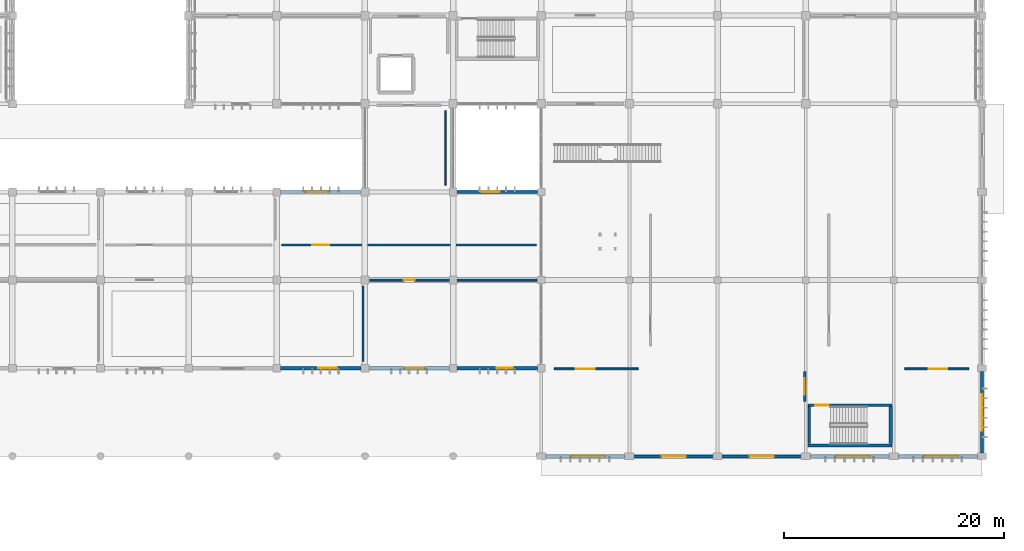
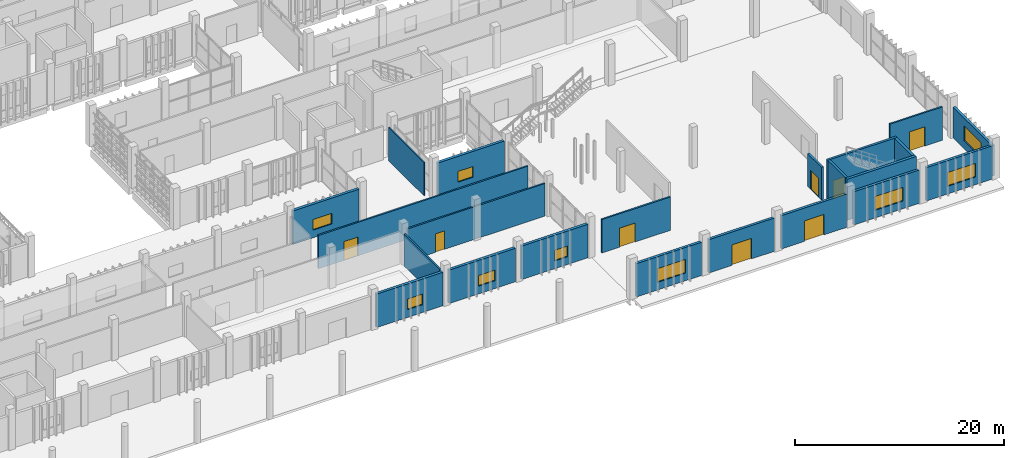
# One storey, part 93 of 117: 22 walls, 9 windows, 8 doors, 17 openings.
"""IFC4 building model written with IfcOpenShell, lengths in metres."""

from ifc_helpers import new_model, si_unit, direction, frame, frame_2d, origin, place, context, subcontext, project, spatial, rectangle, extrude, material, layer, layer_set, type_object, element, fill, save


model = new_model("IFC4")

# Units and contexts
model_context = context("Model", 3, precision=1e-05, world=origin(), true_north=direction((0.0, 1.0)))
body_context = subcontext(model_context, "Body", "Model", "MODEL_VIEW")
ifc_project = project(units=[si_unit("LENGTHUNIT", "METRE"), si_unit("AREAUNIT", "SQUARE_METRE"), si_unit("VOLUMEUNIT", "CUBIC_METRE"), si_unit("PLANEANGLEUNIT", "RADIAN"), si_unit("MASSUNIT", "GRAM", prefix="KILO")], contexts=[model_context])

# Site, building, storey
site_placement = place(None, origin())
site = spatial("IfcSite", under=ifc_project, at=site_placement, CompositionType="ELEMENT")
building_placement = place(site_placement, origin())
building = spatial("IfcBuilding", under=site, at=building_placement, Name="Jelvoka-Kovrelna Polytechnic", CompositionType="ELEMENT")
storey_placement = place(building_placement, origin())
storey = spatial("IfcBuildingStorey", under=building, at=storey_placement, Name="L01", CompositionType="ELEMENT", Elevation=0.0)

# Wall, opening, door
ifc_material_1 = material(Name="Concrete C35/45", Category="concrete")
ifc_layer_1 = layer(ifc_material_1, 0.219970703125)
ifc_layer_set_1 = layer_set([ifc_layer_1], Name="Concrete C35/45")
wall_type_1 = type_object("IfcWallType", Name="Wall_Compartment_220", PredefinedType="PARTITIONING", material=ifc_layer_set_1)
wall_1_placement = place(storey_placement, frame((183.89990234375, 5.0, 0.0), z_axis=(0.0, 0.0, 1.0), x_axis=(0.0, 1.0, 0.0)))
wall_1 = element("IfcWall", 1, at=wall_1_placement, inside=storey, type_object=wall_type_1, Name="L01 interior wall 1330", PredefinedType="PARTITIONING", context=body_context, shape_type="SweptSolid", body=[
    extrude(rectangle(XDim=2.699951171875, YDim=0.219970703125, at=frame_2d((1.35009765625, 0.0))), origin(), (0.0, 0.0, 1.0), 3.81201171875),
])
opening_1_placement = place(wall_1_placement, frame((0.60009765625, 0.0, 0.0)))
opening_1 = element("IfcOpeningElement", 2, at=opening_1_placement, cuts=wall_1, Name="Opening FD-L01-482", PredefinedType="OPENING", context=body_context, shape_type="SweptSolid", body=[
    extrude(rectangle(XDim=1.5, YDim=2.199951171875, at=frame_2d((0.75, 1.10009765625))), frame((0.0, 0.119873046875, 0.0), z_axis=(0.0, -1.0, 0.0), x_axis=(1.0, 0.0, 0.0)), (0.0, 0.0, 1.0), 0.239990234375),
])
ifc_material_2 = material(Name="Paired steel stair lobby fire door", Category="steel")
door_type_1 = type_object("IfcDoorType", Name="Door_Fire_FD04", OperationType="NOTDEFINED", PredefinedType="DOOR", material=ifc_material_2)
door_1_placement = place(opening_1_placement, origin())
door_1 = element("IfcDoor", 3, at=door_1_placement, inside=storey, type_object=door_type_1, Name="L01 interior door FD-L01-482", OperationType="DOUBLE_DOOR_SINGLE_SWING", OverallHeight=2.199951171875, OverallWidth=1.5, PredefinedType="DOOR", context=body_context, shape_type="SweptSolid", body=[
    extrude(rectangle(XDim=1.5, YDim=2.199951171875, at=frame_2d((0.75, 1.10009765625))), frame((0.0, 0.02490234375, 0.0), z_axis=(0.0, -1.0, 0.0), x_axis=(1.0, 0.0, 0.0)), (0.0, 0.0, 1.0), 0.050048828125),
])
fill(opening_1, door_1)

ifc_material_3 = material(Name="Concrete C40/50", Category="concrete")
ifc_layer_2 = layer(ifc_material_3, 0.25)
ifc_layer_set_2 = layer_set([ifc_layer_2], Name="Concrete C40/50")
wall_type_2 = type_object("IfcWallType", Name="Wall_Core_250", PredefinedType="SOLIDWALL", material=ifc_layer_set_2)
wall_2_placement = place(storey_placement, frame((184.199951171875, 4.639892578125, 0.0), z_axis=(0.0, 0.0, 1.0), x_axis=(1.0, 0.0, 0.0)))
wall_2 = element("IfcWall", 4, at=wall_2_placement, inside=storey, type_object=wall_type_2, Name="L01 interior wall 0051", PredefinedType="SOLIDWALL", context=body_context, shape_type="SweptSolid", body=[
    extrude(rectangle(XDim=7.650146484375, YDim=0.25, at=frame_2d((3.8251953125, 0.0))), origin(), (0.0, 0.0, 1.0), 4.800048828125),
])
opening_2_placement = place(wall_2_placement, frame((0.64990234375, 0.0, 0.0)))
opening_2 = element("IfcOpeningElement", 5, at=opening_2_placement, cuts=wall_2, Name="Opening SD-L01-013", PredefinedType="OPENING", context=body_context, shape_type="SweptSolid", body=[
    extrude(rectangle(XDim=1.25, YDim=2.14990234375, at=frame_2d((0.625, 1.074951171875))), frame((0.0, 0.135009765625, 0.0), z_axis=(0.0, -1.0, 0.0), x_axis=(1.0, 0.0, 0.0)), (0.0, 0.0, 1.0), 0.27001953125),
])
ifc_material_4 = material(Name="Powder-coated steel fire door", Category="steel")
door_type_2 = type_object("IfcDoorType", Name="Door_Fire_FD02", OperationType="NOTDEFINED", PredefinedType="DOOR", material=ifc_material_4)
door_2_placement = place(opening_2_placement, origin())
door_2 = element("IfcDoor", 6, at=door_2_placement, inside=storey, type_object=door_type_2, Name="L01 interior door SD-L01-013", OperationType="SINGLE_SWING_LEFT", OverallHeight=2.14990234375, OverallWidth=1.25, PredefinedType="DOOR", context=body_context, shape_type="SweptSolid", body=[
    extrude(rectangle(XDim=1.25, YDim=2.14990234375, at=frame_2d((0.625, 1.074951171875))), frame((0.0, 0.02490234375, 0.0), z_axis=(0.0, -1.0, 0.0), x_axis=(1.0, 0.0, 0.0)), (0.0, 0.0, 1.0), 0.050048828125),
])
fill(opening_2, door_2)

# Wall
wall_3_placement = place(storey_placement, frame((184.324951171875, 1.14990234375, 0.0), z_axis=(0.0, 0.0, 1.0), x_axis=(0.0, 1.0, 0.0)))
element("IfcWall", 7, at=wall_3_placement, inside=storey, type_object=wall_type_2, Name="L01 interior wall 0052", PredefinedType="SOLIDWALL", context=body_context, shape_type="SweptSolid", body=[
    extrude(rectangle(XDim=3.360107421875, YDim=0.25, at=frame_2d((1.68017578125, 0.0))), origin(), (0.0, 0.0, 1.0), 4.800048828125),
])

# Wall, opening, door
ifc_material_5 = material(Name="Autoclaved aerated concrete blockwork", Category="masonry")
ifc_layer_3 = layer(ifc_material_5, 0.179931640625)
ifc_layer_set_3 = layer_set([ifc_layer_3], Name="Autoclaved aerated concrete blockwork")
wall_type_3 = type_object("IfcWallType", Name="Wall_Corridor_180", PredefinedType="PARTITIONING", material=ifc_layer_set_3)
wall_4_placement = place(storey_placement, frame((144.429931640625, 16.0, 0.0), z_axis=(0.0, 0.0, 1.0), x_axis=(1.0, 0.0, 0.0)))
wall_4 = element("IfcWall", 8, at=wall_4_placement, inside=storey, type_object=wall_type_3, Name="L01 interior wall 0858", PredefinedType="PARTITIONING", context=body_context, shape_type="SweptSolid", body=[
    extrude(rectangle(XDim=15.14013671875, YDim=0.179931640625, at=frame_2d((7.570068359375, 0.0))), origin(), (0.0, 0.0, 1.0), 3.81005859375),
])
opening_3_placement = place(wall_4_placement, frame((3.070068359375, 0.0, 0.0)))
opening_3 = element("IfcOpeningElement", 9, at=opening_3_placement, cuts=wall_4, Name="Opening D-L01-159", PredefinedType="OPENING", context=body_context, shape_type="SweptSolid", body=[
    extrude(rectangle(XDim=1.0, YDim=2.14990234375, at=frame_2d((0.5, 1.074951171875))), frame((0.0, 0.099853515625, 0.0), z_axis=(0.0, -1.0, 0.0), x_axis=(1.0, 0.0, 0.0)), (0.0, 0.0, 1.0), 0.199951171875),
])
ifc_material_6 = material(Name="Hardwood acoustic seminar door", Category="wood")
door_type_3 = type_object("IfcDoorType", Name="Door_Int_D08", OperationType="NOTDEFINED", PredefinedType="DOOR", material=ifc_material_6)
door_3_placement = place(opening_3_placement, origin())
door_3 = element("IfcDoor", 10, at=door_3_placement, inside=storey, type_object=door_type_3, Name="L01 interior door D-L01-159", OperationType="SINGLE_SWING_RIGHT", OverallHeight=2.14990234375, OverallWidth=1.0, PredefinedType="DOOR", context=body_context, shape_type="SweptSolid", body=[
    extrude(rectangle(XDim=1.0, YDim=2.14990234375, at=frame_2d((0.5, 1.074951171875))), frame((0.0, 0.02490234375, 0.0), z_axis=(0.0, -1.0, 0.0), x_axis=(1.0, 0.0, 0.0)), (0.0, 0.0, 1.0), 0.050048828125),
])
fill(opening_3, door_3)

wall_5_placement = place(storey_placement, frame((136.429931640625, 19.199951171875, 0.0), z_axis=(0.0, 0.0, 1.0), x_axis=(1.0, 0.0, 0.0)))
wall_5 = element("IfcWall", 11, at=wall_5_placement, inside=storey, type_object=wall_type_3, Name="L01 interior wall 0868", PredefinedType="PARTITIONING", context=body_context, shape_type="SweptSolid", body=[
    extrude(rectangle(XDim=23.14013671875, YDim=0.179931640625, at=frame_2d((11.570068359375, 0.0))), origin(), (0.0, 0.0, 1.0), 3.89990234375),
])
opening_4_placement = place(wall_5_placement, frame((2.7900390625, 0.0, 0.0)))
opening_4 = element("IfcOpeningElement", 12, at=opening_4_placement, cuts=wall_5, Name="Opening D-L01-165", PredefinedType="OPENING", context=body_context, shape_type="SweptSolid", body=[
    extrude(rectangle(XDim=1.56005859375, YDim=2.199951171875, at=frame_2d((0.780029296875, 1.10009765625))), frame((0.0, 0.099853515625, 0.0), z_axis=(0.0, -1.0, 0.0), x_axis=(1.0, 0.0, 0.0)), (0.0, 0.0, 1.0), 0.199951171875),
])
ifc_material_7 = material(Name="Paired studio double door", Category="wood")
door_type_4 = type_object("IfcDoorType", Name="Door_Int_D18", OperationType="NOTDEFINED", PredefinedType="DOOR", material=ifc_material_7)
door_4_placement = place(opening_4_placement, origin())
door_4 = element("IfcDoor", 13, at=door_4_placement, inside=storey, type_object=door_type_4, Name="L01 interior door D-L01-165", OperationType="DOUBLE_DOOR_SINGLE_SWING", OverallHeight=2.199951171875, OverallWidth=1.56005859375, PredefinedType="DOOR", context=body_context, shape_type="SweptSolid", body=[
    extrude(rectangle(XDim=1.56005859375, YDim=2.199951171875, at=frame_2d((0.780029296875, 1.10009765625))), frame((0.0, 0.02490234375, 0.0), z_axis=(0.0, -1.0, 0.0), x_axis=(1.0, 0.0, 0.0)), (0.0, 0.0, 1.0), 0.050048828125),
])
fill(opening_4, door_4)

wall_6_placement = place(storey_placement, frame((161.199951171875, 7.949951171875, 0.0), z_axis=(0.0, 0.0, 1.0), x_axis=(1.0, 0.0, 0.0)))
wall_6 = element("IfcWall", 14, at=wall_6_placement, inside=storey, type_object=wall_type_3, Name="L01 interior wall 0938", PredefinedType="PARTITIONING", context=body_context, shape_type="SweptSolid", body=[
    extrude(rectangle(XDim=7.60009765625, YDim=0.179931640625, at=frame_2d((3.800048828125, 0.0))), origin(), (0.0, 0.0, 1.0), 3.89990234375),
])
opening_5_placement = place(wall_6_placement, frame((1.929931640625, 0.0, 0.0)))
opening_5 = element("IfcOpeningElement", 15, at=opening_5_placement, cuts=wall_6, Name="Opening D-L01-214", PredefinedType="OPENING", context=body_context, shape_type="SweptSolid", body=[
    extrude(rectangle(XDim=1.739990234375, YDim=2.219970703125, at=frame_2d((0.8701171875, 1.10986328125))), frame((0.0, 0.099853515625, 0.0), z_axis=(0.0, -1.0, 0.0), x_axis=(1.0, 0.0, 0.0)), (0.0, 0.0, 1.0), 0.199951171875),
])
ifc_material_8 = material(Name="Paired hardwood fire-resisting refectory door", Category="wood")
door_type_5 = type_object("IfcDoorType", Name="Door_Fire_FD30_09", OperationType="NOTDEFINED", PredefinedType="DOOR", material=ifc_material_8)
door_5_placement = place(opening_5_placement, origin())
door_5 = element("IfcDoor", 16, at=door_5_placement, inside=storey, type_object=door_type_5, Name="L01 interior door D-L01-214", OperationType="DOUBLE_DOOR_SINGLE_SWING", OverallHeight=2.219970703125, OverallWidth=1.739990234375, PredefinedType="DOOR", context=body_context, shape_type="SweptSolid", body=[
    extrude(rectangle(XDim=1.739990234375, YDim=2.219970703125, at=frame_2d((0.8701171875, 1.10986328125))), frame((0.0, 0.02490234375, 0.0), z_axis=(0.0, -1.0, 0.0), x_axis=(1.0, 0.0, 0.0)), (0.0, 0.0, 1.0), 0.050048828125),
])
fill(opening_5, door_5)

wall_7_placement = place(storey_placement, frame((193.0, 7.949951171875, 0.0), z_axis=(0.0, 0.0, 1.0), x_axis=(1.0, 0.0, 0.0)))
wall_7 = element("IfcWall", 17, at=wall_7_placement, inside=storey, type_object=wall_type_3, Name="L01 interior wall 0939", PredefinedType="PARTITIONING", context=body_context, shape_type="SweptSolid", body=[
    extrude(rectangle(XDim=5.800048828125, YDim=0.179931640625, at=frame_2d((2.89990234375, 0.0))), origin(), (0.0, 0.0, 1.0), 3.89990234375),
])
opening_6_placement = place(wall_7_placement, frame((2.159912109375, 0.0, 0.0)))
opening_6 = element("IfcOpeningElement", 18, at=opening_6_placement, cuts=wall_7, Name="Opening D-L01-215", PredefinedType="OPENING", context=body_context, shape_type="SweptSolid", body=[
    extrude(rectangle(XDim=1.679931640625, YDim=2.25, at=frame_2d((0.83984375, 1.125))), frame((0.0, 0.099853515625, 0.0), z_axis=(0.0, -1.0, 0.0), x_axis=(1.0, 0.0, 0.0)), (0.0, 0.0, 1.0), 0.199951171875),
])
ifc_material_9 = material(Name="Paired acoustic lecture theatre door", Category="wood")
door_type_6 = type_object("IfcDoorType", Name="Door_Int_D20", OperationType="NOTDEFINED", PredefinedType="DOOR", material=ifc_material_9)
door_6_placement = place(opening_6_placement, origin())
door_6 = element("IfcDoor", 19, at=door_6_placement, inside=storey, type_object=door_type_6, Name="L01 interior door D-L01-215", OperationType="DOUBLE_DOOR_SINGLE_SWING", OverallHeight=2.25, OverallWidth=1.679931640625, PredefinedType="DOOR", context=body_context, shape_type="SweptSolid", body=[
    extrude(rectangle(XDim=1.679931640625, YDim=2.25, at=frame_2d((0.83984375, 1.125))), frame((0.0, 0.02490234375, 0.0), z_axis=(0.0, -1.0, 0.0), x_axis=(1.0, 0.0, 0.0)), (0.0, 0.0, 1.0), 0.050048828125),
])
fill(opening_6, door_6)

# Wall, opening, window
ifc_material_10 = material(Name="Precast concrete C40/50", Category="concrete")
ifc_layer_4 = layer(ifc_material_10, 0.280029296875)
ifc_layer_set_4 = layer_set([ifc_layer_4], Name="Precast concrete C40/50")
wall_type_4 = type_object("IfcWallType", Name="Wall_Ext_White_280", PredefinedType="STANDARD", material=ifc_layer_set_4)
wall_8_placement = place(storey_placement, frame((167.6201171875, 0.0, 0.0), z_axis=(0.0, 0.0, 1.0), x_axis=(-1.0, 0.0, 0.0)))
wall_8 = element("IfcWall", 20, at=wall_8_placement, inside=storey, type_object=wall_type_4, Name="L01 exterior wall 1124", PredefinedType="STANDARD", context=body_context, shape_type="SweptSolid", body=[
    extrude(rectangle(XDim=7.240234375, YDim=0.280029296875, at=frame_2d((3.6201171875, 0.0))), origin(), (0.0, 0.0, 1.0), 3.889892578125),
])
opening_7_placement = place(wall_8_placement, frame((1.800048828125, 0.0, 0.89990234375)))
opening_7 = element("IfcOpeningElement", 21, at=opening_7_placement, cuts=wall_8, Name="Opening W-L01-563", PredefinedType="OPENING", context=body_context, shape_type="SweptSolid", body=[
    extrude(rectangle(XDim=3.10009765625, YDim=1.60009765625, at=frame_2d((1.550048828125, 0.800048828125))), frame((0.0, 0.150146484375, 0.0), z_axis=(0.0, -1.0, 0.0), x_axis=(1.0, 0.0, 0.0)), (0.0, 0.0, 1.0), 0.300048828125),
])
ifc_material_11 = material(Name="Thermally broken anodised aluminium and low-e glazing", Category="aluminium")
window_type_1 = type_object("IfcWindowType", Name="Win_Casement_W61", PartitioningType="DOUBLE_PANEL_VERTICAL", PredefinedType="WINDOW", material=ifc_material_11)
window_1_placement = place(opening_7_placement, origin())
window_1 = element("IfcWindow", 22, at=window_1_placement, inside=storey, type_object=window_type_1, Name="L01 aluminium casement window W-L01-563", OverallHeight=1.60009765625, OverallWidth=3.10009765625, PartitioningType="DOUBLE_PANEL_VERTICAL", PredefinedType="WINDOW", context=body_context, shape_type="SweptSolid", body=[
    extrude(rectangle(XDim=3.10009765625, YDim=1.60009765625, at=frame_2d((1.550048828125, 0.800048828125))), frame((0.0, 0.030029296875, 0.0), z_axis=(0.0, -1.0, 0.0), x_axis=(1.0, 0.0, 0.0)), (0.0, 0.0, 1.0), 0.06005859375),
])
fill(opening_7, window_1)

# Wall, opening, door
wall_9_placement = place(storey_placement, frame((175.6201171875, 0.0, 0.0), z_axis=(0.0, 0.0, 1.0), x_axis=(-1.0, 0.0, 0.0)))
wall_9 = element("IfcWall", 23, at=wall_9_placement, inside=storey, type_object=wall_type_4, Name="L01 exterior wall 1125", PredefinedType="STANDARD", context=body_context, shape_type="SweptSolid", body=[
    extrude(rectangle(XDim=7.240234375, YDim=0.280029296875, at=frame_2d((3.6201171875, 0.0))), origin(), (0.0, 0.0, 1.0), 3.889892578125),
])
opening_8_placement = place(wall_9_placement, frame((2.5, 0.0, 0.0)))
opening_8 = element("IfcOpeningElement", 24, at=opening_8_placement, cuts=wall_9, Name="Opening E-L01-036", PredefinedType="OPENING", context=body_context, shape_type="SweptSolid", body=[
    extrude(rectangle(XDim=2.199951171875, YDim=2.39990234375, at=frame_2d((1.10009765625, 1.199951171875))), frame((0.0, 0.150146484375, 0.0), z_axis=(0.0, -1.0, 0.0), x_axis=(1.0, 0.0, 0.0)), (0.0, 0.0, 1.0), 0.300048828125),
])
ifc_material_12 = material(Name="Powder-coated aluminium and laminated safety glass", Category="aluminium")
door_type_7 = type_object("IfcDoorType", Name="Door_Ext_Exit_2200x2400", OperationType="NOTDEFINED", PredefinedType="DOOR", material=ifc_material_12)
door_7_placement = place(opening_8_placement, origin())
door_7 = element("IfcDoor", 25, at=door_7_placement, inside=storey, type_object=door_type_7, Name="L01 exterior door E-L01-036", OperationType="DOUBLE_DOOR_SINGLE_SWING", OverallHeight=2.39990234375, OverallWidth=2.199951171875, PredefinedType="DOOR", context=body_context, shape_type="SweptSolid", body=[
    extrude(rectangle(XDim=2.199951171875, YDim=2.39990234375, at=frame_2d((1.10009765625, 1.199951171875))), frame((0.0, 0.02490234375, 0.0), z_axis=(0.0, -1.0, 0.0), x_axis=(1.0, 0.0, 0.0)), (0.0, 0.0, 1.0), 0.050048828125),
])
fill(opening_8, door_7)

wall_10_placement = place(storey_placement, frame((183.6201171875, 0.0, 0.0), z_axis=(0.0, 0.0, 1.0), x_axis=(-1.0, 0.0, 0.0)))
wall_10 = element("IfcWall", 26, at=wall_10_placement, inside=storey, type_object=wall_type_4, Name="L01 exterior wall 1126", PredefinedType="STANDARD", context=body_context, shape_type="SweptSolid", body=[
    extrude(rectangle(XDim=7.240234375, YDim=0.280029296875, at=frame_2d((3.6201171875, 0.0))), origin(), (0.0, 0.0, 1.0), 3.889892578125),
])
opening_9_placement = place(wall_10_placement, frame((2.5, 0.0, 0.0)))
opening_9 = element("IfcOpeningElement", 27, at=opening_9_placement, cuts=wall_10, Name="Opening E-L01-037", PredefinedType="OPENING", context=body_context, shape_type="SweptSolid", body=[
    extrude(rectangle(XDim=2.199951171875, YDim=2.39990234375, at=frame_2d((1.10009765625, 1.199951171875))), frame((0.0, 0.150146484375, 0.0), z_axis=(0.0, -1.0, 0.0), x_axis=(1.0, 0.0, 0.0)), (0.0, 0.0, 1.0), 0.300048828125),
])
door_8_placement = place(opening_9_placement, origin())
door_8 = element("IfcDoor", 28, at=door_8_placement, inside=storey, type_object=door_type_7, Name="L01 exterior door E-L01-037", OperationType="DOUBLE_DOOR_SINGLE_SWING", OverallHeight=2.39990234375, OverallWidth=2.199951171875, PredefinedType="DOOR", context=body_context, shape_type="SweptSolid", body=[
    extrude(rectangle(XDim=2.199951171875, YDim=2.39990234375, at=frame_2d((1.10009765625, 1.199951171875))), frame((0.0, 0.02490234375, 0.0), z_axis=(0.0, -1.0, 0.0), x_axis=(1.0, 0.0, 0.0)), (0.0, 0.0, 1.0), 0.050048828125),
])
fill(opening_9, door_8)

# Wall, opening, window
wall_11_placement = place(storey_placement, frame((191.6201171875, 0.0, 0.0), z_axis=(0.0, 0.0, 1.0), x_axis=(-1.0, 0.0, 0.0)))
wall_11 = element("IfcWall", 29, at=wall_11_placement, inside=storey, type_object=wall_type_4, Name="L01 exterior wall 1127", PredefinedType="STANDARD", context=body_context, shape_type="SweptSolid", body=[
    extrude(rectangle(XDim=7.240234375, YDim=0.280029296875, at=frame_2d((3.6201171875, 0.0))), origin(), (0.0, 0.0, 1.0), 3.889892578125),
])
opening_10_placement = place(wall_11_placement, frame((1.800048828125, 0.0, 0.89990234375)))
opening_10 = element("IfcOpeningElement", 30, at=opening_10_placement, cuts=wall_11, Name="Opening W-L01-564", PredefinedType="OPENING", context=body_context, shape_type="SweptSolid", body=[
    extrude(rectangle(XDim=3.10009765625, YDim=1.60009765625, at=frame_2d((1.550048828125, 0.800048828125))), frame((0.0, 0.150146484375, 0.0), z_axis=(0.0, -1.0, 0.0), x_axis=(1.0, 0.0, 0.0)), (0.0, 0.0, 1.0), 0.300048828125),
])
window_2_placement = place(opening_10_placement, origin())
window_2 = element("IfcWindow", 31, at=window_2_placement, inside=storey, type_object=window_type_1, Name="L01 aluminium casement window W-L01-564", OverallHeight=1.60009765625, OverallWidth=3.10009765625, PartitioningType="DOUBLE_PANEL_VERTICAL", PredefinedType="WINDOW", context=body_context, shape_type="SweptSolid", body=[
    extrude(rectangle(XDim=3.10009765625, YDim=1.60009765625, at=frame_2d((1.550048828125, 0.800048828125))), frame((0.0, 0.030029296875, 0.0), z_axis=(0.0, -1.0, 0.0), x_axis=(1.0, 0.0, 0.0)), (0.0, 0.0, 1.0), 0.06005859375),
])
fill(opening_10, window_2)

wall_12_placement = place(storey_placement, frame((199.6201171875, 0.0, 0.0), z_axis=(0.0, 0.0, 1.0), x_axis=(-1.0, 0.0, 0.0)))
wall_12 = element("IfcWall", 32, at=wall_12_placement, inside=storey, type_object=wall_type_4, Name="L01 exterior wall 1128", PredefinedType="STANDARD", context=body_context, shape_type="SweptSolid", body=[
    extrude(rectangle(XDim=7.240234375, YDim=0.280029296875, at=frame_2d((3.6201171875, 0.0))), origin(), (0.0, 0.0, 1.0), 3.889892578125),
])
opening_11_placement = place(wall_12_placement, frame((1.800048828125, 0.0, 0.89990234375)))
opening_11 = element("IfcOpeningElement", 33, at=opening_11_placement, cuts=wall_12, Name="Opening W-L01-565", PredefinedType="OPENING", context=body_context, shape_type="SweptSolid", body=[
    extrude(rectangle(XDim=3.10009765625, YDim=1.60009765625, at=frame_2d((1.550048828125, 0.800048828125))), frame((0.0, 0.150146484375, 0.0), z_axis=(0.0, -1.0, 0.0), x_axis=(1.0, 0.0, 0.0)), (0.0, 0.0, 1.0), 0.300048828125),
])
window_3_placement = place(opening_11_placement, origin())
window_3 = element("IfcWindow", 34, at=window_3_placement, inside=storey, type_object=window_type_1, Name="L01 aluminium casement window W-L01-565", OverallHeight=1.60009765625, OverallWidth=3.10009765625, PartitioningType="DOUBLE_PANEL_VERTICAL", PredefinedType="WINDOW", context=body_context, shape_type="SweptSolid", body=[
    extrude(rectangle(XDim=3.10009765625, YDim=1.60009765625, at=frame_2d((1.550048828125, 0.800048828125))), frame((0.0, 0.030029296875, 0.0), z_axis=(0.0, -1.0, 0.0), x_axis=(1.0, 0.0, 0.0)), (0.0, 0.0, 1.0), 0.06005859375),
])
fill(opening_11, window_3)

wall_13_placement = place(storey_placement, frame((200.0, 7.702880859375, 0.0), z_axis=(0.0, 0.0, 1.0), x_axis=(0.0, -1.0, 0.0)))
wall_13 = element("IfcWall", 35, at=wall_13_placement, inside=storey, type_object=wall_type_4, Name="L01 exterior wall 1129", PredefinedType="STANDARD", context=body_context, shape_type="SweptSolid", body=[
    extrude(rectangle(XDim=7.40576171875, YDim=0.280029296875, at=frame_2d((3.702880859375, 0.0))), origin(), (0.0, 0.0, 1.0), 3.590087890625),
])
opening_12_placement = place(wall_13_placement, frame((2.0830078125, 0.0, 0.949951171875)))
opening_12 = element("IfcOpeningElement", 36, at=opening_12_placement, cuts=wall_13, Name="Opening W-L01-566", PredefinedType="OPENING", context=body_context, shape_type="SweptSolid", body=[
    extrude(rectangle(XDim=3.300048828125, YDim=1.75, at=frame_2d((1.64990234375, 0.875))), frame((0.0, 0.150146484375, 0.0), z_axis=(0.0, -1.0, 0.0), x_axis=(1.0, 0.0, 0.0)), (0.0, 0.0, 1.0), 0.300048828125),
])
ifc_material_13 = material(Name="Thermally broken anodised aluminium and low-e glazing", Category="aluminium")
window_type_2 = type_object("IfcWindowType", Name="Win_Casement_W62", PartitioningType="DOUBLE_PANEL_VERTICAL", PredefinedType="WINDOW", material=ifc_material_13)
window_4_placement = place(opening_12_placement, origin())
window_4 = element("IfcWindow", 37, at=window_4_placement, inside=storey, type_object=window_type_2, Name="L01 aluminium casement window W-L01-566", OverallHeight=1.75, OverallWidth=3.300048828125, PartitioningType="DOUBLE_PANEL_VERTICAL", PredefinedType="WINDOW", context=body_context, shape_type="SweptSolid", body=[
    extrude(rectangle(XDim=3.300048828125, YDim=1.75, at=frame_2d((1.64990234375, 0.875))), frame((0.0, 0.030029296875, 0.0), z_axis=(0.0, -1.0, 0.0), x_axis=(1.0, 0.0, 0.0)), (0.0, 0.0, 1.0), 0.06005859375),
])
fill(opening_12, window_4)

ifc_material_14 = material(Name="Precast concrete C40/50", Category="concrete")
ifc_layer_5 = layer(ifc_material_14, 0.300048828125)
ifc_layer_set_5 = layer_set([ifc_layer_5], Name="Precast concrete C40/50")
wall_type_5 = type_object("IfcWallType", Name="Wall_Ext_White_300", PredefinedType="STANDARD", material=ifc_layer_set_5)
wall_14_placement = place(storey_placement, frame((143.653076171875, 8.0, 0.0), z_axis=(0.0, 0.0, 1.0), x_axis=(-1.0, 0.0, 0.0)))
wall_14 = element("IfcWall", 38, at=wall_14_placement, inside=storey, type_object=wall_type_5, Name="L01 exterior wall 0249", PredefinedType="STANDARD", context=body_context, shape_type="SweptSolid", body=[
    extrude(rectangle(XDim=7.30615234375, YDim=0.300048828125, at=frame_2d((3.653076171875, 0.0))), origin(), (0.0, 0.0, 1.0), 3.909912109375),
])
opening_13_placement = place(wall_14_placement, frame((2.23291015625, 0.0, 0.89990234375)))
opening_13 = element("IfcOpeningElement", 39, at=opening_13_placement, cuts=wall_14, Name="Opening W-L01-017", PredefinedType="OPENING", context=body_context, shape_type="SweptSolid", body=[
    extrude(rectangle(XDim=1.64990234375, YDim=1.25, at=frame_2d((0.824951171875, 0.625))), frame((0.0, 0.159912109375, 0.0), z_axis=(0.0, -1.0, 0.0), x_axis=(1.0, 0.0, 0.0)), (0.0, 0.0, 1.0), 0.320068359375),
])
ifc_material_15 = material(Name="Thermally broken anodised aluminium and low-e glazing", Category="aluminium")
window_type_3 = type_object("IfcWindowType", Name="Win_Casement_W04", PartitioningType="DOUBLE_PANEL_VERTICAL", PredefinedType="WINDOW", material=ifc_material_15)
window_5_placement = place(opening_13_placement, origin())
window_5 = element("IfcWindow", 40, at=window_5_placement, inside=storey, type_object=window_type_3, Name="L01 aluminium casement window W-L01-017", OverallHeight=1.25, OverallWidth=1.64990234375, PartitioningType="DOUBLE_PANEL_VERTICAL", PredefinedType="WINDOW", context=body_context, shape_type="SweptSolid", body=[
    extrude(rectangle(XDim=1.64990234375, YDim=1.25, at=frame_2d((0.824951171875, 0.625))), frame((0.0, 0.030029296875, 0.0), z_axis=(0.0, -1.0, 0.0), x_axis=(1.0, 0.0, 0.0)), (0.0, 0.0, 1.0), 0.06005859375),
])
fill(opening_13, window_5)

wall_15_placement = place(storey_placement, frame((136.346923828125, 24.0, 0.0), z_axis=(0.0, 0.0, 1.0), x_axis=(1.0, 0.0, 0.0)))
wall_15 = element("IfcWall", 41, at=wall_15_placement, inside=storey, type_object=wall_type_5, Name="L01 exterior wall 0250", PredefinedType="STANDARD", context=body_context, shape_type="SweptSolid", body=[
    extrude(rectangle(XDim=7.30615234375, YDim=0.300048828125, at=frame_2d((3.653076171875, 0.0))), origin(), (0.0, 0.0, 1.0), 3.909912109375),
])
opening_14_placement = place(wall_15_placement, frame((2.23291015625, 0.0, 0.89990234375)))
opening_14 = element("IfcOpeningElement", 42, at=opening_14_placement, cuts=wall_15, Name="Opening W-L01-018", PredefinedType="OPENING", context=body_context, shape_type="SweptSolid", body=[
    extrude(rectangle(XDim=2.050048828125, YDim=1.25, at=frame_2d((1.02490234375, 0.625))), frame((0.0, 0.159912109375, 0.0), z_axis=(0.0, -1.0, 0.0), x_axis=(1.0, 0.0, 0.0)), (0.0, 0.0, 1.0), 0.320068359375),
])
ifc_material_16 = material(Name="Thermally broken anodised aluminium and low-e glazing", Category="aluminium")
window_type_4 = type_object("IfcWindowType", Name="Win_Casement_W06", PartitioningType="DOUBLE_PANEL_VERTICAL", PredefinedType="WINDOW", material=ifc_material_16)
window_6_placement = place(opening_14_placement, origin())
window_6 = element("IfcWindow", 43, at=window_6_placement, inside=storey, type_object=window_type_4, Name="L01 aluminium casement window W-L01-018", OverallHeight=1.25, OverallWidth=2.050048828125, PartitioningType="DOUBLE_PANEL_VERTICAL", PredefinedType="WINDOW", context=body_context, shape_type="SweptSolid", body=[
    extrude(rectangle(XDim=2.050048828125, YDim=1.25, at=frame_2d((1.02490234375, 0.625))), frame((0.0, 0.030029296875, 0.0), z_axis=(0.0, -1.0, 0.0), x_axis=(1.0, 0.0, 0.0)), (0.0, 0.0, 1.0), 0.06005859375),
])
fill(opening_14, window_6)

wall_16_placement = place(storey_placement, frame((151.653076171875, 8.0, 0.0), z_axis=(0.0, 0.0, 1.0), x_axis=(-1.0, 0.0, 0.0)))
wall_16 = element("IfcWall", 44, at=wall_16_placement, inside=storey, type_object=wall_type_5, Name="L01 exterior wall 0251", PredefinedType="STANDARD", context=body_context, shape_type="SweptSolid", body=[
    extrude(rectangle(XDim=7.30615234375, YDim=0.300048828125, at=frame_2d((3.653076171875, 0.0))), origin(), (0.0, 0.0, 1.0), 3.909912109375),
])
opening_15_placement = place(wall_16_placement, frame((2.23291015625, 0.0, 0.89990234375)))
opening_15 = element("IfcOpeningElement", 45, at=opening_15_placement, cuts=wall_16, Name="Opening W-L01-019", PredefinedType="OPENING", context=body_context, shape_type="SweptSolid", body=[
    extrude(rectangle(XDim=1.85009765625, YDim=1.25, at=frame_2d((0.925048828125, 0.625))), frame((0.0, 0.159912109375, 0.0), z_axis=(0.0, -1.0, 0.0), x_axis=(1.0, 0.0, 0.0)), (0.0, 0.0, 1.0), 0.320068359375),
])
ifc_material_17 = material(Name="Thermally broken anodised aluminium and low-e glazing", Category="aluminium")
window_type_5 = type_object("IfcWindowType", Name="Win_Casement_W05", PartitioningType="DOUBLE_PANEL_VERTICAL", PredefinedType="WINDOW", material=ifc_material_17)
window_7_placement = place(opening_15_placement, origin())
window_7 = element("IfcWindow", 46, at=window_7_placement, inside=storey, type_object=window_type_5, Name="L01 aluminium casement window W-L01-019", OverallHeight=1.25, OverallWidth=1.85009765625, PartitioningType="DOUBLE_PANEL_VERTICAL", PredefinedType="WINDOW", context=body_context, shape_type="SweptSolid", body=[
    extrude(rectangle(XDim=1.85009765625, YDim=1.25, at=frame_2d((0.925048828125, 0.625))), frame((0.0, 0.030029296875, 0.0), z_axis=(0.0, -1.0, 0.0), x_axis=(1.0, 0.0, 0.0)), (0.0, 0.0, 1.0), 0.06005859375),
])
fill(opening_15, window_7)

wall_17_placement = place(storey_placement, frame((159.677978515625, 8.0, 0.0), z_axis=(0.0, 0.0, 1.0), x_axis=(-1.0, 0.0, 0.0)))
wall_17 = element("IfcWall", 47, at=wall_17_placement, inside=storey, type_object=wall_type_5, Name="L01 exterior wall 0252", PredefinedType="STANDARD", context=body_context, shape_type="SweptSolid", body=[
    extrude(rectangle(XDim=7.3310546875, YDim=0.300048828125, at=frame_2d((3.66552734375, 0.0))), origin(), (0.0, 0.0, 1.0), 3.909912109375),
])
opening_16_placement = place(wall_17_placement, frame((2.258056640625, 0.0, 0.89990234375)))
opening_16 = element("IfcOpeningElement", 48, at=opening_16_placement, cuts=wall_17, Name="Opening W-L01-020", PredefinedType="OPENING", context=body_context, shape_type="SweptSolid", body=[
    extrude(rectangle(XDim=1.449951171875, YDim=1.25, at=frame_2d((0.72509765625, 0.625))), frame((0.0, 0.159912109375, 0.0), z_axis=(0.0, -1.0, 0.0), x_axis=(1.0, 0.0, 0.0)), (0.0, 0.0, 1.0), 0.320068359375),
])
ifc_material_18 = material(Name="Thermally broken anodised aluminium and low-e glazing", Category="aluminium")
window_type_6 = type_object("IfcWindowType", Name="Win_Casement_W03", PartitioningType="SINGLE_PANEL", PredefinedType="WINDOW", material=ifc_material_18)
window_8_placement = place(opening_16_placement, origin())
window_8 = element("IfcWindow", 49, at=window_8_placement, inside=storey, type_object=window_type_6, Name="L01 aluminium casement window W-L01-020", OverallHeight=1.25, OverallWidth=1.449951171875, PartitioningType="SINGLE_PANEL", PredefinedType="WINDOW", context=body_context, shape_type="SweptSolid", body=[
    extrude(rectangle(XDim=1.449951171875, YDim=1.25, at=frame_2d((0.72509765625, 0.625))), frame((0.0, 0.030029296875, 0.0), z_axis=(0.0, -1.0, 0.0), x_axis=(1.0, 0.0, 0.0)), (0.0, 0.0, 1.0), 0.06005859375),
])
fill(opening_16, window_8)

wall_18_placement = place(storey_placement, frame((152.346923828125, 24.0, 0.0), z_axis=(0.0, 0.0, 1.0), x_axis=(1.0, 0.0, 0.0)))
wall_18 = element("IfcWall", 50, at=wall_18_placement, inside=storey, type_object=wall_type_5, Name="L01 exterior wall 0253", PredefinedType="STANDARD", context=body_context, shape_type="SweptSolid", body=[
    extrude(rectangle(XDim=7.3310546875, YDim=0.300048828125, at=frame_2d((3.66552734375, 0.0))), origin(), (0.0, 0.0, 1.0), 3.909912109375),
])
opening_17_placement = place(wall_18_placement, frame((2.23291015625, 0.0, 0.89990234375)))
opening_17 = element("IfcOpeningElement", 51, at=opening_17_placement, cuts=wall_18, Name="Opening W-L01-021", PredefinedType="OPENING", context=body_context, shape_type="SweptSolid", body=[
    extrude(rectangle(XDim=1.64990234375, YDim=1.25, at=frame_2d((0.824951171875, 0.625))), frame((0.0, 0.159912109375, 0.0), z_axis=(0.0, -1.0, 0.0), x_axis=(1.0, 0.0, 0.0)), (0.0, 0.0, 1.0), 0.320068359375),
])
window_9_placement = place(opening_17_placement, origin())
window_9 = element("IfcWindow", 52, at=window_9_placement, inside=storey, type_object=window_type_3, Name="L01 aluminium casement window W-L01-021", OverallHeight=1.25, OverallWidth=1.64990234375, PartitioningType="DOUBLE_PANEL_VERTICAL", PredefinedType="WINDOW", context=body_context, shape_type="SweptSolid", body=[
    extrude(rectangle(XDim=1.64990234375, YDim=1.25, at=frame_2d((0.824951171875, 0.625))), frame((0.0, 0.030029296875, 0.0), z_axis=(0.0, -1.0, 0.0), x_axis=(1.0, 0.0, 0.0)), (0.0, 0.0, 1.0), 0.06005859375),
])
fill(opening_17, window_9)

# Walls
ifc_material_19 = material(Name="Acoustic gypsum stud partition")
ifc_layer_6 = layer(ifc_material_19, 0.125)
ifc_layer_set_6 = layer_set([ifc_layer_6], Name="Acoustic gypsum stud partition")
wall_type_6 = type_object("IfcWallType", Name="Wall_Partition_125", PredefinedType="PARTITIONING", material=ifc_layer_set_6)
wall_19_placement = place(storey_placement, frame((151.300048828125, 24.6201171875, 0.0), z_axis=(0.0, 0.0, 1.0), x_axis=(0.0, 1.0, 0.0)))
element("IfcWall", 53, at=wall_19_placement, inside=storey, type_object=wall_type_6, Name="L01 interior wall 0904", PredefinedType="PARTITIONING", context=body_context, shape_type="SweptSolid", body=[
    extrude(rectangle(XDim=6.759765625, YDim=0.125, at=frame_2d((3.3798828125, 0.0))), origin(), (0.0, 0.0, 1.0), 3.89990234375),
])
ifc_material_20 = material(Name="Autoclaved aerated concrete blockwork", Category="masonry")
ifc_layer_7 = layer(ifc_material_20, 0.14990234375)
ifc_layer_set_7 = layer_set([ifc_layer_7], Name="Autoclaved aerated concrete blockwork")
wall_type_7 = type_object("IfcWallType", Name="Wall_Partition_150", PredefinedType="PARTITIONING", material=ifc_layer_set_7)
wall_20_placement = place(storey_placement, frame((143.820068359375, 8.6201171875, 0.0), z_axis=(0.0, 0.0, 1.0), x_axis=(0.0, 1.0, 0.0)))
element("IfcWall", 54, at=wall_20_placement, inside=storey, type_object=wall_type_7, Name="L01 interior wall 0857", PredefinedType="PARTITIONING", context=body_context, shape_type="SweptSolid", body=[
    extrude(rectangle(XDim=6.809814453125, YDim=0.14990234375, at=frame_2d((3.40478515625, 0.0))), origin(), (0.0, 0.0, 1.0), 3.760009765625),
])
ifc_material_21 = material(Name="Concrete C40/50", Category="concrete")
ifc_layer_8 = layer(ifc_material_21, 0.300048828125)
ifc_layer_set_8 = layer_set([ifc_layer_8], Name="Concrete C40/50")
wall_type_8 = type_object("IfcWallType", Name="Wall_Shear_300", PredefinedType="SHEAR", material=ifc_layer_set_8)
wall_21_placement = place(storey_placement, frame((184.199951171875, 0.989990234375, 0.0), z_axis=(0.0, 0.0, 1.0), x_axis=(1.0, 0.0, 0.0)))
element("IfcWall", 55, at=wall_21_placement, inside=storey, type_object=wall_type_8, Name="L01 interior wall 0049", PredefinedType="SHEAR", context=body_context, shape_type="SweptSolid", body=[
    extrude(rectangle(XDim=7.650146484375, YDim=0.300048828125, at=frame_2d((3.8251953125, 0.0))), origin(), (0.0, 0.0, 1.0), 4.800048828125),
])
wall_22_placement = place(storey_placement, frame((191.7099609375, 1.14990234375, 0.0), z_axis=(0.0, 0.0, 1.0), x_axis=(0.0, 1.0, 0.0)))
element("IfcWall", 56, at=wall_22_placement, inside=storey, type_object=wall_type_8, Name="L01 interior wall 0050", PredefinedType="SHEAR", context=body_context, shape_type="SweptSolid", body=[
    extrude(rectangle(XDim=3.360107421875, YDim=0.300048828125, at=frame_2d((1.68017578125, 0.0))), origin(), (0.0, 0.0, 1.0), 4.800048828125),
])

save(model, "model.ifc")
